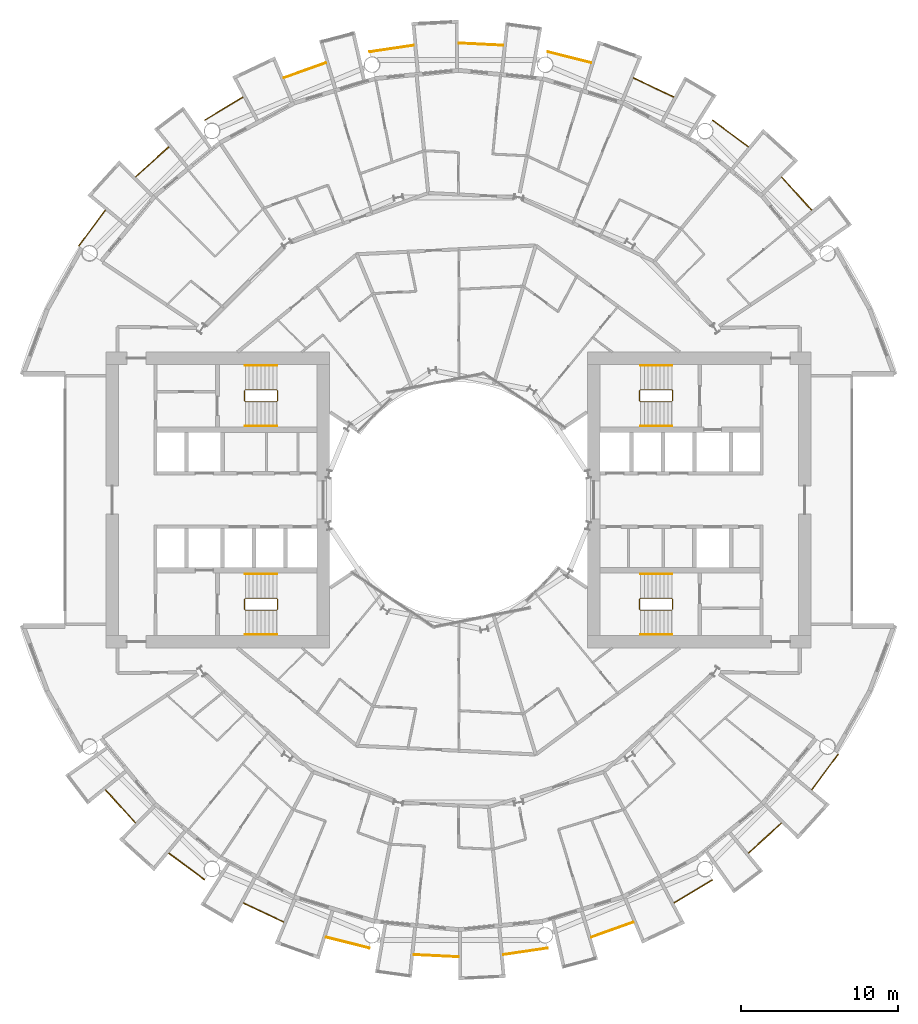
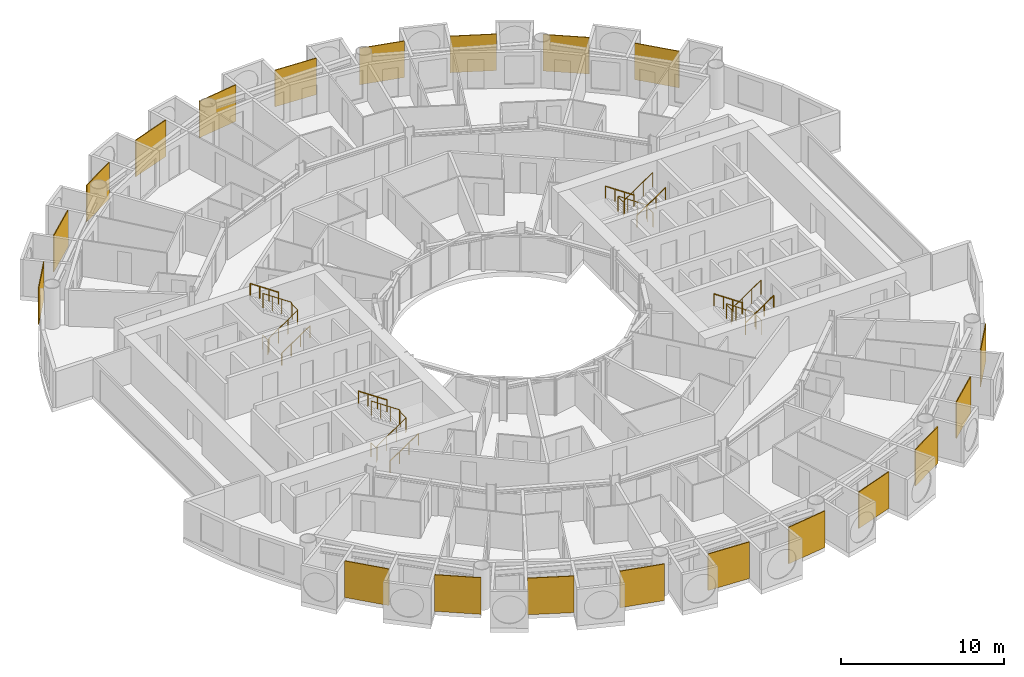
# One storey, part 25 of 25: 32 railings.
"""IFC4 building model written with IfcOpenShell, lengths in metres."""

from ifc_helpers import new_model, si_unit, direction, frame, origin, origin_2d, place, context, subcontext, project, spatial, polyline, circle, outline, extrude, material, layer, layer_set, type_object, element, save


model = new_model("IFC4")

# Units and contexts
model_context = context("Model", 3, precision=1e-05, world=origin(), true_north=direction((0.0, 1.0)))
body_context = subcontext(model_context, "Body", "Model", "MODEL_VIEW")
ifc_project = project(units=[si_unit("LENGTHUNIT", "METRE"), si_unit("AREAUNIT", "SQUARE_METRE"), si_unit("VOLUMEUNIT", "CUBIC_METRE"), si_unit("PLANEANGLEUNIT", "RADIAN"), si_unit("MASSUNIT", "GRAM", prefix="KILO")], contexts=[model_context])

# Site, building, storey
site_placement = place(None, origin())
site = spatial("IfcSite", under=ifc_project, at=site_placement, CompositionType="ELEMENT")
building_placement = place(site_placement, origin())
building = spatial("IfcBuilding", under=site, at=building_placement, Name="Maasbend Ring Residences", CompositionType="ELEMENT")
storey_placement = place(building_placement, frame((0.0, 0.0, 41.10009765625)))
storey = spatial("IfcBuildingStorey", under=building, at=storey_placement, Name="L11", CompositionType="ELEMENT", Elevation=41.10009765625)

# Railings
ifc_material_1 = material(Name="Pale anodised perforated aluminium", Category="aluminium")
ifc_layer = layer(ifc_material_1, 0.06005859375)
ifc_layer_set = layer_set([ifc_layer], Name="SCREEN-P")
railing_type_1 = type_object("IfcRailingType", Name="SCREEN-P", PredefinedType="GUARDRAIL", material=ifc_layer_set)
railing_1_placement = place(storey_placement, frame((0.0, 0.0, -0.030029296875)))
element("IfcRailing", 1, at=railing_1_placement, inside=storey, type_object=railing_type_1, Name="Perforated screen guard 1", PredefinedType="GUARDRAIL", context=body_context, shape_type="SweptSolid", body=[
    extrude(outline(polyline([(22.4169921875, 18.39697265625), (20.506103515625, 20.506103515625), (20.551025390625, 20.5458984375), (22.4619140625, 18.43798828125), (22.4169921875, 18.39697265625)])), origin(), (0.0, 0.0, 1.0), 2.72998046875),
])
railing_2_placement = place(storey_placement, frame((0.0, 0.0, -0.030029296875)))
element("IfcRailing", 2, at=railing_2_placement, inside=storey, type_object=railing_type_1, Name="Perforated screen guard 2", PredefinedType="GUARDRAIL", context=body_context, shape_type="SweptSolid", body=[
    extrude(outline(polyline([(18.39697265625, 22.4169921875), (16.112060546875, 24.113037109375), (16.14697265625, 24.160888671875), (18.43310546875, 22.465087890625), (18.39697265625, 22.4169921875)])), origin(), (0.0, 0.0, 1.0), 2.72998046875),
])
railing_3_placement = place(storey_placement, frame((0.0, 0.0, -0.030029296875)))
element("IfcRailing", 3, at=railing_3_placement, inside=storey, type_object=railing_type_1, Name="Perforated screen guard 3", PredefinedType="GUARDRAIL", context=body_context, shape_type="SweptSolid", body=[
    extrude(outline(polyline([(13.6708984375, 25.575927734375), (11.097900390625, 26.79296875), (11.123046875, 26.846923828125), (13.696044921875, 25.6298828125), (13.6708984375, 25.575927734375)])), origin(), (0.0, 0.0, 1.0), 2.72998046875),
])
railing_4_placement = place(storey_placement, frame((0.0, 0.0, -0.030029296875)))
element("IfcRailing", 4, at=railing_4_placement, inside=storey, type_object=railing_type_1, Name="Perforated screen guard 4", PredefinedType="GUARDRAIL", context=body_context, shape_type="SweptSolid", body=[
    extrude(outline(polyline([(8.41796875, 27.7509765625), (5.657958984375, 28.443115234375), (5.672119140625, 28.5009765625), (8.43310546875, 27.80908203125), (8.41796875, 27.7509765625)])), origin(), (0.0, 0.0, 1.0), 2.72998046875),
])
railing_5_placement = place(storey_placement, frame((0.0, 0.0, -0.030029296875)))
element("IfcRailing", 5, at=railing_5_placement, inside=storey, type_object=railing_type_1, Name="Perforated screen guard 5", PredefinedType="GUARDRAIL", context=body_context, shape_type="SweptSolid", body=[
    extrude(outline(polyline([(2.842041015625, 28.860107421875), (0.0, 29.0), (0.0029296875, 29.06005859375), (2.844970703125, 28.919921875), (2.842041015625, 28.860107421875)])), origin(), (0.0, 0.0, 1.0), 2.72998046875),
])
railing_6_placement = place(storey_placement, frame((0.0, 0.0, -0.030029296875)))
element("IfcRailing", 6, at=railing_6_placement, inside=storey, type_object=railing_type_1, Name="Perforated screen guard 6", PredefinedType="GUARDRAIL", context=body_context, shape_type="SweptSolid", body=[
    extrude(outline(polyline([(-2.842041015625, 28.860107421875), (-5.657958984375, 28.443115234375), (-5.666015625, 28.501953125), (-2.85107421875, 28.919921875), (-2.842041015625, 28.860107421875)])), origin(), (0.0, 0.0, 1.0), 2.72998046875),
])
railing_7_placement = place(storey_placement, frame((0.0, 0.0, -0.030029296875)))
element("IfcRailing", 7, at=railing_7_placement, inside=storey, type_object=railing_type_1, Name="Perforated screen guard 7", PredefinedType="GUARDRAIL", context=body_context, shape_type="SweptSolid", body=[
    extrude(outline(polyline([(-8.41796875, 27.7509765625), (-11.097900390625, 26.79296875), (-11.117919921875, 26.84912109375), (-8.43798828125, 27.80810546875), (-8.41796875, 27.7509765625)])), origin(), (0.0, 0.0, 1.0), 2.72998046875),
])
railing_8_placement = place(storey_placement, frame((0.0, 0.0, -0.030029296875)))
element("IfcRailing", 8, at=railing_8_placement, inside=storey, type_object=railing_type_1, Name="Perforated screen guard 8", PredefinedType="GUARDRAIL", context=body_context, shape_type="SweptSolid", body=[
    extrude(outline(polyline([(-13.6708984375, 25.575927734375), (-16.112060546875, 24.113037109375), (-16.14208984375, 24.1640625), (-13.700927734375, 25.626953125), (-13.6708984375, 25.575927734375)])), origin(), (0.0, 0.0, 1.0), 2.72998046875),
])
railing_9_placement = place(storey_placement, frame((0.0, 0.0, -0.030029296875)))
element("IfcRailing", 9, at=railing_9_placement, inside=storey, type_object=railing_type_1, Name="Perforated screen guard 9", PredefinedType="GUARDRAIL", context=body_context, shape_type="SweptSolid", body=[
    extrude(outline(polyline([(-18.39697265625, 22.4169921875), (-20.506103515625, 20.506103515625), (-20.5458984375, 20.551025390625), (-18.43798828125, 22.4619140625), (-18.39697265625, 22.4169921875)])), origin(), (0.0, 0.0, 1.0), 2.72998046875),
])
railing_10_placement = place(storey_placement, frame((0.0, 0.0, -0.030029296875)))
element("IfcRailing", 10, at=railing_10_placement, inside=storey, type_object=railing_type_1, Name="Perforated screen guard 10", PredefinedType="GUARDRAIL", context=body_context, shape_type="SweptSolid", body=[
    extrude(outline(polyline([(-22.4169921875, 18.39697265625), (-24.113037109375, 16.112060546875), (-24.160888671875, 16.14697265625), (-22.465087890625, 18.43310546875), (-22.4169921875, 18.39697265625)])), origin(), (0.0, 0.0, 1.0), 2.72998046875),
])
railing_11_placement = place(storey_placement, frame((0.0, 0.0, -0.030029296875)))
element("IfcRailing", 11, at=railing_11_placement, inside=storey, type_object=railing_type_1, Name="Perforated screen guard 1", PredefinedType="GUARDRAIL", context=body_context, shape_type="SweptSolid", body=[
    extrude(outline(polyline([(-22.4169921875, -18.39697265625), (-20.506103515625, -20.506103515625), (-20.551025390625, -20.5458984375), (-22.4619140625, -18.43798828125), (-22.4169921875, -18.39697265625)])), origin(), (0.0, 0.0, 1.0), 2.72998046875),
])
railing_12_placement = place(storey_placement, frame((0.0, 0.0, -0.030029296875)))
element("IfcRailing", 12, at=railing_12_placement, inside=storey, type_object=railing_type_1, Name="Perforated screen guard 2", PredefinedType="GUARDRAIL", context=body_context, shape_type="SweptSolid", body=[
    extrude(outline(polyline([(-18.39697265625, -22.4169921875), (-16.112060546875, -24.113037109375), (-16.14697265625, -24.160888671875), (-18.43310546875, -22.465087890625), (-18.39697265625, -22.4169921875)])), origin(), (0.0, 0.0, 1.0), 2.72998046875),
])
railing_13_placement = place(storey_placement, frame((0.0, 0.0, -0.030029296875)))
element("IfcRailing", 13, at=railing_13_placement, inside=storey, type_object=railing_type_1, Name="Perforated screen guard 3", PredefinedType="GUARDRAIL", context=body_context, shape_type="SweptSolid", body=[
    extrude(outline(polyline([(-13.6708984375, -25.575927734375), (-11.097900390625, -26.79296875), (-11.123046875, -26.846923828125), (-13.696044921875, -25.6298828125), (-13.6708984375, -25.575927734375)])), origin(), (0.0, 0.0, 1.0), 2.72998046875),
])
railing_14_placement = place(storey_placement, frame((0.0, 0.0, -0.030029296875)))
element("IfcRailing", 14, at=railing_14_placement, inside=storey, type_object=railing_type_1, Name="Perforated screen guard 4", PredefinedType="GUARDRAIL", context=body_context, shape_type="SweptSolid", body=[
    extrude(outline(polyline([(-8.41796875, -27.7509765625), (-5.657958984375, -28.443115234375), (-5.672119140625, -28.5009765625), (-8.43310546875, -27.80908203125), (-8.41796875, -27.7509765625)])), origin(), (0.0, 0.0, 1.0), 2.72998046875),
])
railing_15_placement = place(storey_placement, frame((0.0, 0.0, -0.030029296875)))
element("IfcRailing", 15, at=railing_15_placement, inside=storey, type_object=railing_type_1, Name="Perforated screen guard 5", PredefinedType="GUARDRAIL", context=body_context, shape_type="SweptSolid", body=[
    extrude(outline(polyline([(-2.842041015625, -28.860107421875), (0.0, -29.0), (-0.0029296875, -29.06005859375), (-2.844970703125, -28.919921875), (-2.842041015625, -28.860107421875)])), origin(), (0.0, 0.0, 1.0), 2.72998046875),
])
railing_16_placement = place(storey_placement, frame((0.0, 0.0, -0.030029296875)))
element("IfcRailing", 16, at=railing_16_placement, inside=storey, type_object=railing_type_1, Name="Perforated screen guard 6", PredefinedType="GUARDRAIL", context=body_context, shape_type="SweptSolid", body=[
    extrude(outline(polyline([(2.842041015625, -28.860107421875), (5.657958984375, -28.443115234375), (5.666015625, -28.501953125), (2.85107421875, -28.919921875), (2.842041015625, -28.860107421875)])), origin(), (0.0, 0.0, 1.0), 2.72998046875),
])
railing_17_placement = place(storey_placement, frame((0.0, 0.0, -0.030029296875)))
element("IfcRailing", 17, at=railing_17_placement, inside=storey, type_object=railing_type_1, Name="Perforated screen guard 7", PredefinedType="GUARDRAIL", context=body_context, shape_type="SweptSolid", body=[
    extrude(outline(polyline([(8.41796875, -27.7509765625), (11.097900390625, -26.79296875), (11.117919921875, -26.84912109375), (8.43798828125, -27.80810546875), (8.41796875, -27.7509765625)])), origin(), (0.0, 0.0, 1.0), 2.72998046875),
])
railing_18_placement = place(storey_placement, frame((0.0, 0.0, -0.030029296875)))
element("IfcRailing", 18, at=railing_18_placement, inside=storey, type_object=railing_type_1, Name="Perforated screen guard 8", PredefinedType="GUARDRAIL", context=body_context, shape_type="SweptSolid", body=[
    extrude(outline(polyline([(13.6708984375, -25.575927734375), (16.112060546875, -24.113037109375), (16.14208984375, -24.1640625), (13.700927734375, -25.626953125), (13.6708984375, -25.575927734375)])), origin(), (0.0, 0.0, 1.0), 2.72998046875),
])
railing_19_placement = place(storey_placement, frame((0.0, 0.0, -0.030029296875)))
element("IfcRailing", 19, at=railing_19_placement, inside=storey, type_object=railing_type_1, Name="Perforated screen guard 9", PredefinedType="GUARDRAIL", context=body_context, shape_type="SweptSolid", body=[
    extrude(outline(polyline([(18.39697265625, -22.4169921875), (20.506103515625, -20.506103515625), (20.5458984375, -20.551025390625), (18.43798828125, -22.4619140625), (18.39697265625, -22.4169921875)])), origin(), (0.0, 0.0, 1.0), 2.72998046875),
])
railing_20_placement = place(storey_placement, frame((0.0, 0.0, -0.030029296875)))
element("IfcRailing", 20, at=railing_20_placement, inside=storey, type_object=railing_type_1, Name="Perforated screen guard 10", PredefinedType="GUARDRAIL", context=body_context, shape_type="SweptSolid", body=[
    extrude(outline(polyline([(22.4169921875, -18.39697265625), (24.113037109375, -16.112060546875), (24.160888671875, -16.14697265625), (22.465087890625, -18.43310546875), (22.4169921875, -18.39697265625)])), origin(), (0.0, 0.0, 1.0), 2.72998046875),
])
ifc_material_2 = material(Name="Stainless steel 316", Category="steel")
railing_type_2 = type_object("IfcRailingType", Name="STAIR GUARD 1100", PredefinedType="GUARDRAIL", material=ifc_material_2)
railing_21_placement = place(storey_placement, frame((13.60009765625, 6.300048828125, 0.0)))
element("IfcRailing", 21, at=railing_21_placement, inside=storey, type_object=railing_type_2, Name="L11 ST-E1 stair guard 1", PredefinedType="GUARDRAIL", context=body_context, shape_type="SweptSolid", body=[
    extrude(circle(Radius=0.02392578125, at=origin_2d()), frame((0.0, 0.0, 1.076171875), z_axis=(0.0, 1.0, 0.0), x_axis=(-1.0, 0.0, 0.0)), (0.0, 0.0, 1.0), 0.64990234375),
    extrude(circle(Radius=0.02392578125, at=origin_2d()), frame((0.0, 0.64990234375, 1.076171875), z_axis=(-0.272562526181, 0.272562526181, 0.92272386912), x_axis=(-0.707106781187, -0.707106781187, 0.0)), (0.0, 0.0, 1.0), 0.18359375),
    extrude(circle(Radius=0.02392578125, at=origin_2d()), frame((-0.050048828125, 0.699951171875, 1.24560546875), z_axis=(-0.827797584762, 0.0, 0.561026878735), x_axis=(0.0, -1.0, 0.0)), (0.0, 0.0, 1.0), 2.416015625),
    extrude(circle(Radius=0.02392578125, at=origin_2d()), frame((-2.050048828125, 0.699951171875, 2.60107421875), z_axis=(-0.707106781187, -0.707106781187, 0.0), x_axis=(0.707106781187, -0.707106781187, 0.0)), (0.0, 0.0, 1.0), 0.07080078125),
    extrude(circle(Radius=0.02392578125, at=origin_2d()), frame((-2.10009765625, 0.64990234375, 2.60107421875), z_axis=(0.0, -1.0, 0.0), x_axis=(1.0, 0.0, 0.0)), (0.0, 0.0, 1.0), 0.64990234375),
    extrude(circle(Radius=0.02392578125, at=origin_2d()), frame((-2.10009765625, 0.0, 2.60107421875), z_axis=(0.272562526181, -0.272562526181, 0.92272386912), x_axis=(0.707106781187, 0.707106781187, 0.0)), (0.0, 0.0, 1.0), 0.18359375),
    extrude(circle(Radius=0.02392578125, at=origin_2d()), frame((-2.050048828125, -0.050048828125, 2.7705078125), z_axis=(0.827797584762, 0.0, 0.561026878735), x_axis=(0.0, 1.0, 0.0)), (0.0, 0.0, 1.0), 2.416015625),
    extrude(circle(Radius=0.02099609375, at=origin_2d()), origin(), (0.0, 0.0, 1.0), 1.052001953125),
    extrude(circle(Radius=0.02099609375, at=origin_2d()), frame((0.0, 0.64990234375, 0.0)), (0.0, 0.0, 1.0), 1.052001953125),
    extrude(circle(Radius=0.02099609375, at=origin_2d()), frame((-0.050048828125, 0.699951171875, 0.16943359375)), (0.0, 0.0, 1.0), 1.052001953125),
    extrude(circle(Radius=0.02099609375, at=origin_2d()), frame((-0.716796875, 0.699951171875, 0.621337890625)), (0.0, 0.0, 1.0), 1.052001953125),
    extrude(circle(Radius=0.02099609375, at=origin_2d()), frame((-1.38330078125, 0.699951171875, 1.072998046875)), (0.0, 0.0, 1.0), 1.052001953125),
    extrude(circle(Radius=0.02099609375, at=origin_2d()), frame((-2.050048828125, 0.699951171875, 1.52490234375)), (0.0, 0.0, 1.0), 1.052001953125),
    extrude(circle(Radius=0.02099609375, at=origin_2d()), frame((-2.10009765625, 0.64990234375, 1.52490234375)), (0.0, 0.0, 1.0), 1.052001953125),
    extrude(circle(Radius=0.02099609375, at=origin_2d()), frame((-2.10009765625, 0.0, 1.52490234375)), (0.0, 0.0, 1.0), 1.052001953125),
    extrude(circle(Radius=0.02099609375, at=origin_2d()), frame((-2.050048828125, -0.050048828125, 1.6943359375)), (0.0, 0.0, 1.0), 1.052001953125),
    extrude(circle(Radius=0.02099609375, at=origin_2d()), frame((-1.38330078125, -0.050048828125, 2.146240234375)), (0.0, 0.0, 1.0), 1.052001953125),
    extrude(circle(Radius=0.02099609375, at=origin_2d()), frame((-0.716796875, -0.050048828125, 2.597900390625)), (0.0, 0.0, 1.0), 1.052001953125),
    extrude(circle(Radius=0.02099609375, at=origin_2d()), frame((-0.050048828125, -0.050048828125, 3.0498046875)), (0.0, 0.0, 1.0), 1.052001953125),
])
railing_22_placement = place(storey_placement, frame((13.60009765625, -6.949951171875, 0.0)))
element("IfcRailing", 22, at=railing_22_placement, inside=storey, type_object=railing_type_2, Name="L11 ST-E2 stair guard 1", PredefinedType="GUARDRAIL", context=body_context, shape_type="SweptSolid", body=[
    extrude(circle(Radius=0.02392578125, at=origin_2d()), frame((0.0, 0.0, 1.076171875), z_axis=(0.0, 1.0, 0.0), x_axis=(-1.0, 0.0, 0.0)), (0.0, 0.0, 1.0), 0.64990234375),
    extrude(circle(Radius=0.02392578125, at=origin_2d()), frame((0.0, 0.64990234375, 1.076171875), z_axis=(-0.272562526181, 0.272562526181, 0.92272386912), x_axis=(-0.707106781187, -0.707106781187, 0.0)), (0.0, 0.0, 1.0), 0.18359375),
    extrude(circle(Radius=0.02392578125, at=origin_2d()), frame((-0.050048828125, 0.699951171875, 1.24560546875), z_axis=(-0.827797584762, 0.0, 0.561026878735), x_axis=(0.0, -1.0, 0.0)), (0.0, 0.0, 1.0), 2.416015625),
    extrude(circle(Radius=0.02392578125, at=origin_2d()), frame((-2.050048828125, 0.699951171875, 2.60107421875), z_axis=(-0.707106781187, -0.707106781187, 0.0), x_axis=(0.707106781187, -0.707106781187, 0.0)), (0.0, 0.0, 1.0), 0.07080078125),
    extrude(circle(Radius=0.02392578125, at=origin_2d()), frame((-2.10009765625, 0.64990234375, 2.60107421875), z_axis=(0.0, -1.0, 0.0), x_axis=(1.0, 0.0, 0.0)), (0.0, 0.0, 1.0), 0.64990234375),
    extrude(circle(Radius=0.02392578125, at=origin_2d()), frame((-2.10009765625, 0.0, 2.60107421875), z_axis=(0.272562526181, -0.272562526181, 0.92272386912), x_axis=(0.707106781187, 0.707106781187, 0.0)), (0.0, 0.0, 1.0), 0.18359375),
    extrude(circle(Radius=0.02392578125, at=origin_2d()), frame((-2.050048828125, -0.050048828125, 2.7705078125), z_axis=(0.827797584762, 0.0, 0.561026878735), x_axis=(0.0, 1.0, 0.0)), (0.0, 0.0, 1.0), 2.416015625),
    extrude(circle(Radius=0.02099609375, at=origin_2d()), origin(), (0.0, 0.0, 1.0), 1.052001953125),
    extrude(circle(Radius=0.02099609375, at=origin_2d()), frame((0.0, 0.64990234375, 0.0)), (0.0, 0.0, 1.0), 1.052001953125),
    extrude(circle(Radius=0.02099609375, at=origin_2d()), frame((-0.050048828125, 0.699951171875, 0.16943359375)), (0.0, 0.0, 1.0), 1.052001953125),
    extrude(circle(Radius=0.02099609375, at=origin_2d()), frame((-0.716796875, 0.699951171875, 0.621337890625)), (0.0, 0.0, 1.0), 1.052001953125),
    extrude(circle(Radius=0.02099609375, at=origin_2d()), frame((-1.38330078125, 0.699951171875, 1.072998046875)), (0.0, 0.0, 1.0), 1.052001953125),
    extrude(circle(Radius=0.02099609375, at=origin_2d()), frame((-2.050048828125, 0.699951171875, 1.52490234375)), (0.0, 0.0, 1.0), 1.052001953125),
    extrude(circle(Radius=0.02099609375, at=origin_2d()), frame((-2.10009765625, 0.64990234375, 1.52490234375)), (0.0, 0.0, 1.0), 1.052001953125),
    extrude(circle(Radius=0.02099609375, at=origin_2d()), frame((-2.10009765625, 0.0, 1.52490234375)), (0.0, 0.0, 1.0), 1.052001953125),
    extrude(circle(Radius=0.02099609375, at=origin_2d()), frame((-2.050048828125, -0.050048828125, 1.6943359375)), (0.0, 0.0, 1.0), 1.052001953125),
    extrude(circle(Radius=0.02099609375, at=origin_2d()), frame((-1.38330078125, -0.050048828125, 2.146240234375)), (0.0, 0.0, 1.0), 1.052001953125),
    extrude(circle(Radius=0.02099609375, at=origin_2d()), frame((-0.716796875, -0.050048828125, 2.597900390625)), (0.0, 0.0, 1.0), 1.052001953125),
    extrude(circle(Radius=0.02099609375, at=origin_2d()), frame((-0.050048828125, -0.050048828125, 3.0498046875)), (0.0, 0.0, 1.0), 1.052001953125),
])
railing_23_placement = place(storey_placement, frame((-13.60009765625, -6.300048828125, 0.0)))
element("IfcRailing", 23, at=railing_23_placement, inside=storey, type_object=railing_type_2, Name="L11 ST-W1 stair guard 1", PredefinedType="GUARDRAIL", context=body_context, shape_type="SweptSolid", body=[
    extrude(circle(Radius=0.02392578125, at=origin_2d()), frame((0.0, 0.0, 1.076171875), z_axis=(0.0, -1.0, 0.0), x_axis=(1.0, 0.0, 0.0)), (0.0, 0.0, 1.0), 0.64990234375),
    extrude(circle(Radius=0.02392578125, at=origin_2d()), frame((0.0, -0.64990234375, 1.076171875), z_axis=(0.272562526181, -0.272562526181, 0.92272386912), x_axis=(0.707106781187, 0.707106781187, 0.0)), (0.0, 0.0, 1.0), 0.18359375),
    extrude(circle(Radius=0.02392578125, at=origin_2d()), frame((0.050048828125, -0.699951171875, 1.24560546875), z_axis=(0.827797584762, 0.0, 0.561026878735), x_axis=(0.0, 1.0, 0.0)), (0.0, 0.0, 1.0), 2.416015625),
    extrude(circle(Radius=0.02392578125, at=origin_2d()), frame((2.050048828125, -0.699951171875, 2.60107421875), z_axis=(0.707106781187, 0.707106781187, 0.0), x_axis=(-0.707106781187, 0.707106781187, 0.0)), (0.0, 0.0, 1.0), 0.07080078125),
    extrude(circle(Radius=0.02392578125, at=origin_2d()), frame((2.10009765625, -0.64990234375, 2.60107421875), z_axis=(0.0, 1.0, 0.0), x_axis=(-1.0, 0.0, 0.0)), (0.0, 0.0, 1.0), 0.64990234375),
    extrude(circle(Radius=0.02392578125, at=origin_2d()), frame((2.10009765625, 0.0, 2.60107421875), z_axis=(-0.272562526181, 0.272562526181, 0.92272386912), x_axis=(-0.707106781187, -0.707106781187, 0.0)), (0.0, 0.0, 1.0), 0.18359375),
    extrude(circle(Radius=0.02392578125, at=origin_2d()), frame((2.050048828125, 0.050048828125, 2.7705078125), z_axis=(-0.827797584762, 0.0, 0.561026878735), x_axis=(0.0, -1.0, 0.0)), (0.0, 0.0, 1.0), 2.416015625),
    extrude(circle(Radius=0.02099609375, at=origin_2d()), origin(), (0.0, 0.0, 1.0), 1.052001953125),
    extrude(circle(Radius=0.02099609375, at=origin_2d()), frame((0.0, -0.64990234375, 0.0)), (0.0, 0.0, 1.0), 1.052001953125),
    extrude(circle(Radius=0.02099609375, at=origin_2d()), frame((0.050048828125, -0.699951171875, 0.16943359375)), (0.0, 0.0, 1.0), 1.052001953125),
    extrude(circle(Radius=0.02099609375, at=origin_2d()), frame((0.716796875, -0.699951171875, 0.621337890625)), (0.0, 0.0, 1.0), 1.052001953125),
    extrude(circle(Radius=0.02099609375, at=origin_2d()), frame((1.38330078125, -0.699951171875, 1.072998046875)), (0.0, 0.0, 1.0), 1.052001953125),
    extrude(circle(Radius=0.02099609375, at=origin_2d()), frame((2.050048828125, -0.699951171875, 1.52490234375)), (0.0, 0.0, 1.0), 1.052001953125),
    extrude(circle(Radius=0.02099609375, at=origin_2d()), frame((2.10009765625, -0.64990234375, 1.52490234375)), (0.0, 0.0, 1.0), 1.052001953125),
    extrude(circle(Radius=0.02099609375, at=origin_2d()), frame((2.10009765625, 0.0, 1.52490234375)), (0.0, 0.0, 1.0), 1.052001953125),
    extrude(circle(Radius=0.02099609375, at=origin_2d()), frame((2.050048828125, 0.050048828125, 1.6943359375)), (0.0, 0.0, 1.0), 1.052001953125),
    extrude(circle(Radius=0.02099609375, at=origin_2d()), frame((1.38330078125, 0.050048828125, 2.146240234375)), (0.0, 0.0, 1.0), 1.052001953125),
    extrude(circle(Radius=0.02099609375, at=origin_2d()), frame((0.716796875, 0.050048828125, 2.597900390625)), (0.0, 0.0, 1.0), 1.052001953125),
    extrude(circle(Radius=0.02099609375, at=origin_2d()), frame((0.050048828125, 0.050048828125, 3.0498046875)), (0.0, 0.0, 1.0), 1.052001953125),
])
railing_24_placement = place(storey_placement, frame((-13.60009765625, 6.949951171875, 0.0)))
element("IfcRailing", 24, at=railing_24_placement, inside=storey, type_object=railing_type_2, Name="L11 ST-W2 stair guard 1", PredefinedType="GUARDRAIL", context=body_context, shape_type="SweptSolid", body=[
    extrude(circle(Radius=0.02392578125, at=origin_2d()), frame((0.0, 0.0, 1.076171875), z_axis=(0.0, -1.0, 0.0), x_axis=(1.0, 0.0, 0.0)), (0.0, 0.0, 1.0), 0.64990234375),
    extrude(circle(Radius=0.02392578125, at=origin_2d()), frame((0.0, -0.64990234375, 1.076171875), z_axis=(0.272562526181, -0.272562526181, 0.92272386912), x_axis=(0.707106781187, 0.707106781187, 0.0)), (0.0, 0.0, 1.0), 0.18359375),
    extrude(circle(Radius=0.02392578125, at=origin_2d()), frame((0.050048828125, -0.699951171875, 1.24560546875), z_axis=(0.827797584762, 0.0, 0.561026878735), x_axis=(0.0, 1.0, 0.0)), (0.0, 0.0, 1.0), 2.416015625),
    extrude(circle(Radius=0.02392578125, at=origin_2d()), frame((2.050048828125, -0.699951171875, 2.60107421875), z_axis=(0.707106781187, 0.707106781187, 0.0), x_axis=(-0.707106781187, 0.707106781187, 0.0)), (0.0, 0.0, 1.0), 0.07080078125),
    extrude(circle(Radius=0.02392578125, at=origin_2d()), frame((2.10009765625, -0.64990234375, 2.60107421875), z_axis=(0.0, 1.0, 0.0), x_axis=(-1.0, 0.0, 0.0)), (0.0, 0.0, 1.0), 0.64990234375),
    extrude(circle(Radius=0.02392578125, at=origin_2d()), frame((2.10009765625, 0.0, 2.60107421875), z_axis=(-0.272562526181, 0.272562526181, 0.92272386912), x_axis=(-0.707106781187, -0.707106781187, 0.0)), (0.0, 0.0, 1.0), 0.18359375),
    extrude(circle(Radius=0.02392578125, at=origin_2d()), frame((2.050048828125, 0.050048828125, 2.7705078125), z_axis=(-0.827797584762, 0.0, 0.561026878735), x_axis=(0.0, -1.0, 0.0)), (0.0, 0.0, 1.0), 2.416015625),
    extrude(circle(Radius=0.02099609375, at=origin_2d()), origin(), (0.0, 0.0, 1.0), 1.052001953125),
    extrude(circle(Radius=0.02099609375, at=origin_2d()), frame((0.0, -0.64990234375, 0.0)), (0.0, 0.0, 1.0), 1.052001953125),
    extrude(circle(Radius=0.02099609375, at=origin_2d()), frame((0.050048828125, -0.699951171875, 0.16943359375)), (0.0, 0.0, 1.0), 1.052001953125),
    extrude(circle(Radius=0.02099609375, at=origin_2d()), frame((0.716796875, -0.699951171875, 0.621337890625)), (0.0, 0.0, 1.0), 1.052001953125),
    extrude(circle(Radius=0.02099609375, at=origin_2d()), frame((1.38330078125, -0.699951171875, 1.072998046875)), (0.0, 0.0, 1.0), 1.052001953125),
    extrude(circle(Radius=0.02099609375, at=origin_2d()), frame((2.050048828125, -0.699951171875, 1.52490234375)), (0.0, 0.0, 1.0), 1.052001953125),
    extrude(circle(Radius=0.02099609375, at=origin_2d()), frame((2.10009765625, -0.64990234375, 1.52490234375)), (0.0, 0.0, 1.0), 1.052001953125),
    extrude(circle(Radius=0.02099609375, at=origin_2d()), frame((2.10009765625, 0.0, 1.52490234375)), (0.0, 0.0, 1.0), 1.052001953125),
    extrude(circle(Radius=0.02099609375, at=origin_2d()), frame((2.050048828125, 0.050048828125, 1.6943359375)), (0.0, 0.0, 1.0), 1.052001953125),
    extrude(circle(Radius=0.02099609375, at=origin_2d()), frame((1.38330078125, 0.050048828125, 2.146240234375)), (0.0, 0.0, 1.0), 1.052001953125),
    extrude(circle(Radius=0.02099609375, at=origin_2d()), frame((0.716796875, 0.050048828125, 2.597900390625)), (0.0, 0.0, 1.0), 1.052001953125),
    extrude(circle(Radius=0.02099609375, at=origin_2d()), frame((0.050048828125, 0.050048828125, 3.0498046875)), (0.0, 0.0, 1.0), 1.052001953125),
])
ifc_material_3 = material(Name="Stainless steel 316", Category="steel")
railing_type_3 = type_object("IfcRailingType", Name="STAIR HANDRAIL 900", PredefinedType="HANDRAIL", material=ifc_material_3)
railing_25_placement = place(storey_placement, frame((13.550048828125, 8.550048828125, 0.16943359375)))
element("IfcRailing", 25, at=railing_25_placement, inside=storey, type_object=railing_type_3, Name="L11 ST-E1 stair handrail 1", PredefinedType="HANDRAIL", context=body_context, shape_type="SweptSolid", body=[
    extrude(circle(Radius=0.02392578125, at=origin_2d()), frame((0.0, 0.0, 0.8759765625), z_axis=(-0.827797584762, 0.0, 0.561026878735), x_axis=(0.0, -1.0, 0.0)), (0.0, 0.0, 1.0), 2.416015625),
    extrude(circle(Radius=0.02099609375, at=origin_2d()), origin(), (0.0, 0.0, 1.0), 0.851806640625),
    extrude(circle(Radius=0.02099609375, at=origin_2d()), frame((-0.666748046875, 0.0, 0.451904296875)), (0.0, 0.0, 1.0), 0.851806640625),
    extrude(circle(Radius=0.02099609375, at=origin_2d()), frame((-1.333251953125, 0.0, 0.903564453125)), (0.0, 0.0, 1.0), 0.851806640625),
    extrude(circle(Radius=0.02099609375, at=origin_2d()), frame((-2.0, 0.0, 1.35546875)), (0.0, 0.0, 1.0), 0.851806640625),
])
railing_26_placement = place(storey_placement, frame((11.550048828125, 4.699951171875, 1.6943359375)))
element("IfcRailing", 26, at=railing_26_placement, inside=storey, type_object=railing_type_3, Name="L11 ST-E1 stair handrail 2", PredefinedType="HANDRAIL", context=body_context, shape_type="SweptSolid", body=[
    extrude(circle(Radius=0.02392578125, at=origin_2d()), frame((0.0, 0.0, 0.8759765625), z_axis=(0.827797584762, 0.0, 0.561026878735), x_axis=(0.0, 1.0, 0.0)), (0.0, 0.0, 1.0), 2.416015625),
    extrude(circle(Radius=0.02099609375, at=origin_2d()), origin(), (0.0, 0.0, 1.0), 0.851806640625),
    extrude(circle(Radius=0.02099609375, at=origin_2d()), frame((0.666748046875, 0.0, 0.451904296875)), (0.0, 0.0, 1.0), 0.851806640625),
    extrude(circle(Radius=0.02099609375, at=origin_2d()), frame((1.333251953125, 0.0, 0.903564453125)), (0.0, 0.0, 1.0), 0.851806640625),
    extrude(circle(Radius=0.02099609375, at=origin_2d()), frame((2.0, 0.0, 1.35546875)), (0.0, 0.0, 1.0), 0.851806640625),
])
railing_27_placement = place(storey_placement, frame((13.550048828125, -4.699951171875, 0.16943359375)))
element("IfcRailing", 27, at=railing_27_placement, inside=storey, type_object=railing_type_3, Name="L11 ST-E2 stair handrail 1", PredefinedType="HANDRAIL", context=body_context, shape_type="SweptSolid", body=[
    extrude(circle(Radius=0.02392578125, at=origin_2d()), frame((0.0, 0.0, 0.8759765625), z_axis=(-0.827797584762, 0.0, 0.561026878735), x_axis=(0.0, -1.0, 0.0)), (0.0, 0.0, 1.0), 2.416015625),
    extrude(circle(Radius=0.02099609375, at=origin_2d()), origin(), (0.0, 0.0, 1.0), 0.851806640625),
    extrude(circle(Radius=0.02099609375, at=origin_2d()), frame((-0.666748046875, 0.0, 0.451904296875)), (0.0, 0.0, 1.0), 0.851806640625),
    extrude(circle(Radius=0.02099609375, at=origin_2d()), frame((-1.333251953125, 0.0, 0.903564453125)), (0.0, 0.0, 1.0), 0.851806640625),
    extrude(circle(Radius=0.02099609375, at=origin_2d()), frame((-2.0, 0.0, 1.35546875)), (0.0, 0.0, 1.0), 0.851806640625),
])
for number, where, name in (
    (28, (11.550048828125, -8.550048828125, 1.6943359375), "L11 ST-E2 stair handrail 2"),
    (29, (-13.550048828125, -8.550048828125, 0.16943359375), "L11 ST-W1 stair handrail 1"),
):
    element("IfcRailing", number, at=place(storey_placement, frame(where)), inside=storey, type_object=railing_type_3, Name=name, PredefinedType="HANDRAIL", context=body_context, shape_type="SweptSolid", body=[
        extrude(circle(Radius=0.02392578125, at=origin_2d()), frame((0.0, 0.0, 0.8759765625), z_axis=(0.827797584762, 0.0, 0.561026878735), x_axis=(0.0, 1.0, 0.0)), (0.0, 0.0, 1.0), 2.416015625),
        extrude(circle(Radius=0.02099609375, at=origin_2d()), origin(), (0.0, 0.0, 1.0), 0.851806640625),
        extrude(circle(Radius=0.02099609375, at=origin_2d()), frame((0.666748046875, 0.0, 0.451904296875)), (0.0, 0.0, 1.0), 0.851806640625),
        extrude(circle(Radius=0.02099609375, at=origin_2d()), frame((1.333251953125, 0.0, 0.903564453125)), (0.0, 0.0, 1.0), 0.851806640625),
        extrude(circle(Radius=0.02099609375, at=origin_2d()), frame((2.0, 0.0, 1.35546875)), (0.0, 0.0, 1.0), 0.851806640625),
    ])
railing_28_placement = place(storey_placement, frame((-11.550048828125, -4.699951171875, 1.6943359375)))
element("IfcRailing", 30, at=railing_28_placement, inside=storey, type_object=railing_type_3, Name="L11 ST-W1 stair handrail 2", PredefinedType="HANDRAIL", context=body_context, shape_type="SweptSolid", body=[
    extrude(circle(Radius=0.02392578125, at=origin_2d()), frame((0.0, 0.0, 0.8759765625), z_axis=(-0.827797584762, 0.0, 0.561026878735), x_axis=(0.0, -1.0, 0.0)), (0.0, 0.0, 1.0), 2.416015625),
    extrude(circle(Radius=0.02099609375, at=origin_2d()), origin(), (0.0, 0.0, 1.0), 0.851806640625),
    extrude(circle(Radius=0.02099609375, at=origin_2d()), frame((-0.666748046875, 0.0, 0.451904296875)), (0.0, 0.0, 1.0), 0.851806640625),
    extrude(circle(Radius=0.02099609375, at=origin_2d()), frame((-1.333251953125, 0.0, 0.903564453125)), (0.0, 0.0, 1.0), 0.851806640625),
    extrude(circle(Radius=0.02099609375, at=origin_2d()), frame((-2.0, 0.0, 1.35546875)), (0.0, 0.0, 1.0), 0.851806640625),
])
railing_29_placement = place(storey_placement, frame((-13.550048828125, 4.699951171875, 0.16943359375)))
element("IfcRailing", 31, at=railing_29_placement, inside=storey, type_object=railing_type_3, Name="L11 ST-W2 stair handrail 1", PredefinedType="HANDRAIL", context=body_context, shape_type="SweptSolid", body=[
    extrude(circle(Radius=0.02392578125, at=origin_2d()), frame((0.0, 0.0, 0.8759765625), z_axis=(0.827797584762, 0.0, 0.561026878735), x_axis=(0.0, 1.0, 0.0)), (0.0, 0.0, 1.0), 2.416015625),
    extrude(circle(Radius=0.02099609375, at=origin_2d()), origin(), (0.0, 0.0, 1.0), 0.851806640625),
    extrude(circle(Radius=0.02099609375, at=origin_2d()), frame((0.666748046875, 0.0, 0.451904296875)), (0.0, 0.0, 1.0), 0.851806640625),
    extrude(circle(Radius=0.02099609375, at=origin_2d()), frame((1.333251953125, 0.0, 0.903564453125)), (0.0, 0.0, 1.0), 0.851806640625),
    extrude(circle(Radius=0.02099609375, at=origin_2d()), frame((2.0, 0.0, 1.35546875)), (0.0, 0.0, 1.0), 0.851806640625),
])
railing_30_placement = place(storey_placement, frame((-11.550048828125, 8.550048828125, 1.6943359375)))
element("IfcRailing", 32, at=railing_30_placement, inside=storey, type_object=railing_type_3, Name="L11 ST-W2 stair handrail 2", PredefinedType="HANDRAIL", context=body_context, shape_type="SweptSolid", body=[
    extrude(circle(Radius=0.02392578125, at=origin_2d()), frame((0.0, 0.0, 0.8759765625), z_axis=(-0.827797584762, 0.0, 0.561026878735), x_axis=(0.0, -1.0, 0.0)), (0.0, 0.0, 1.0), 2.416015625),
    extrude(circle(Radius=0.02099609375, at=origin_2d()), origin(), (0.0, 0.0, 1.0), 0.851806640625),
    extrude(circle(Radius=0.02099609375, at=origin_2d()), frame((-0.666748046875, 0.0, 0.451904296875)), (0.0, 0.0, 1.0), 0.851806640625),
    extrude(circle(Radius=0.02099609375, at=origin_2d()), frame((-1.333251953125, 0.0, 0.903564453125)), (0.0, 0.0, 1.0), 0.851806640625),
    extrude(circle(Radius=0.02099609375, at=origin_2d()), frame((-2.0, 0.0, 1.35546875)), (0.0, 0.0, 1.0), 0.851806640625),
])

save(model, "model.ifc")
